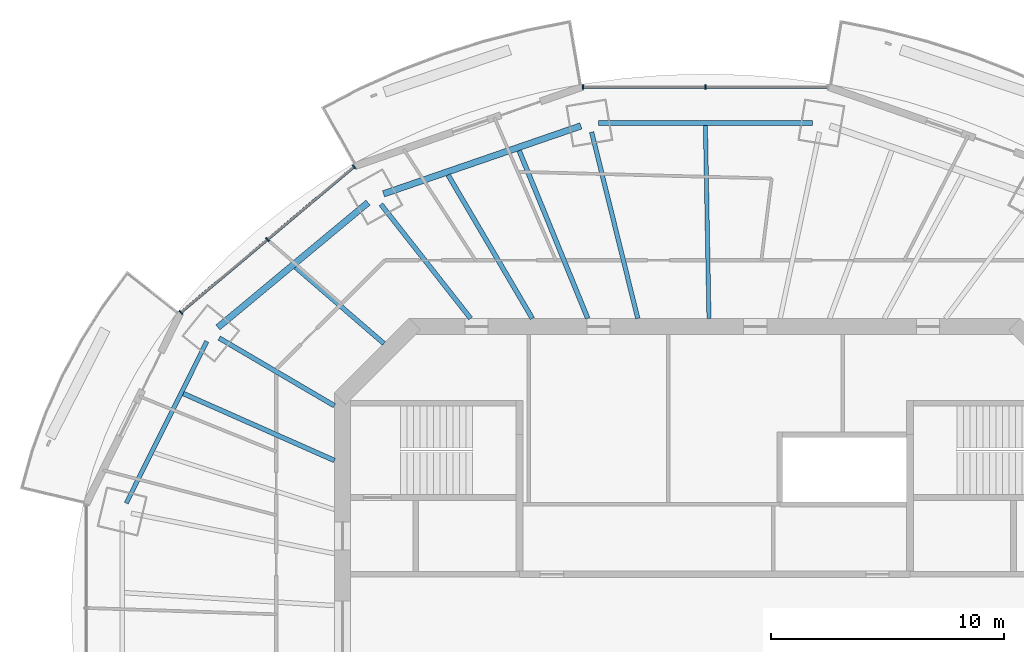
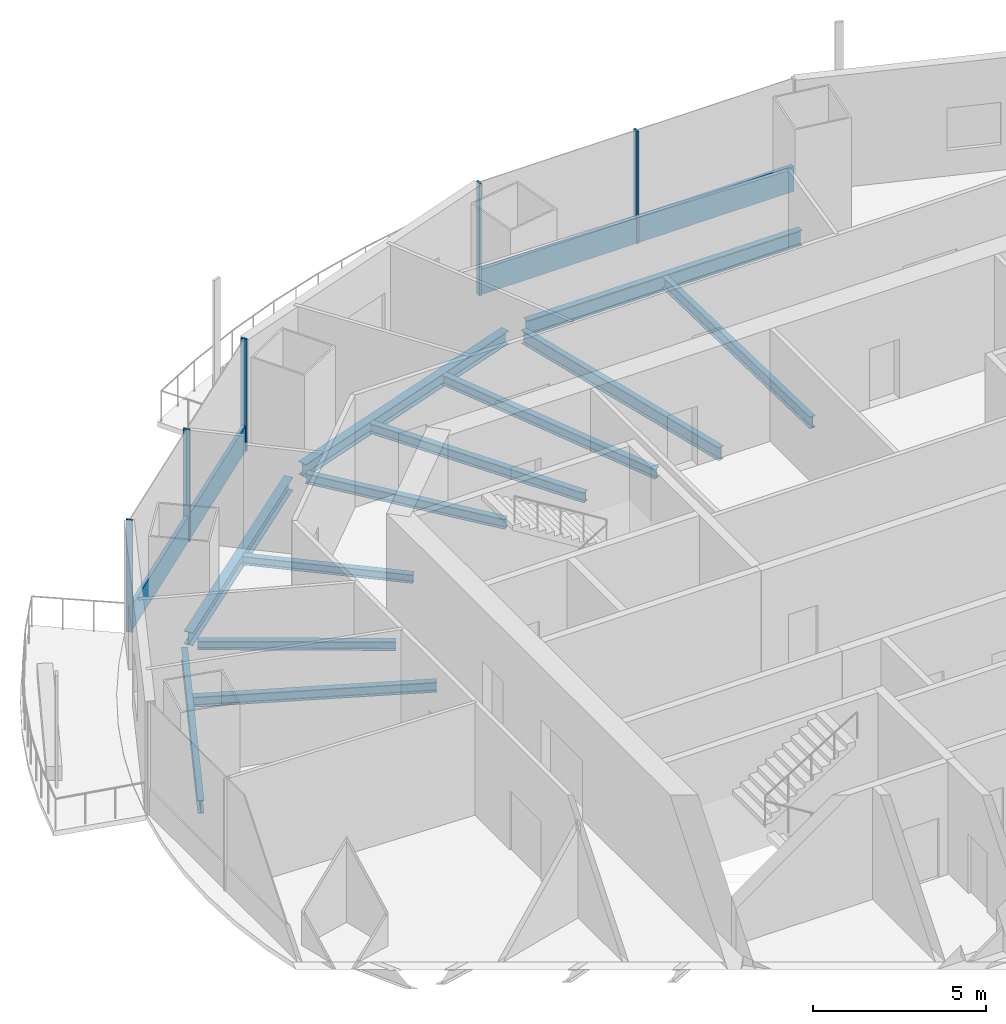
# One storey, part 5 of 16: 12 beams, 7 members, 2 elements without a shape of their own.
"""IFC4 building model written with IfcOpenShell, lengths in metres."""

from ifc_helpers import new_model, si_unit, direction, frame, origin, origin_2d, place, context, subcontext, project, spatial, rectangle, i_section, extrude, material, material_profile, profile_set, type_object, element, aggregate, save


model = new_model("IFC4")

# Units and contexts
model_context = context("Model", 3, precision=1e-05, world=origin(), true_north=direction((0.0, 1.0)))
body_context = subcontext(model_context, "Body", "Model", "MODEL_VIEW")
ifc_project = project(units=[si_unit("LENGTHUNIT", "METRE"), si_unit("AREAUNIT", "SQUARE_METRE"), si_unit("VOLUMEUNIT", "CUBIC_METRE"), si_unit("PLANEANGLEUNIT", "RADIAN"), si_unit("MASSUNIT", "GRAM", prefix="KILO")], contexts=[model_context])

# Site, building, storey
site_placement = place(None, origin())
site = spatial("IfcSite", under=ifc_project, at=site_placement, CompositionType="ELEMENT")
building_placement = place(site_placement, origin())
building = spatial("IfcBuilding", under=site, at=building_placement, Name="Marenthal Gate Tower", CompositionType="ELEMENT")
storey_placement = place(building_placement, frame((0.0, 0.0, 334.300048828125)))
storey = spatial("IfcBuildingStorey", under=building, at=storey_placement, Name="L75", CompositionType="ELEMENT", Elevation=334.300048828125)

# Curtain wall, members
ifc_material_1 = material(Name="Aluminium and glass", Category="aluminium")
curtain_wall_type = type_object("IfcCurtainWallType", Name="Curtain wall typical high", PredefinedType="NOTDEFINED", material=ifc_material_1)
curtain_wall_1_placement = place(storey_placement, origin())
curtain_wall_1 = element("IfcCurtainWall", 1, at=curtain_wall_1_placement, inside=storey, type_object=curtain_wall_type, Name="Curtain wall L75 bay 4", PredefinedType="NOTDEFINED")
ifc_material_2 = material(Name="Aluminium", Category="aluminium")
ifc_material_profile_1 = material_profile(ifc_material_2, rectangle(XDim=0.199951171875, YDim=0.06005859375, at=origin_2d()), Name="60x200 aluminium mullion")
ifc_profile_set_1 = profile_set([ifc_material_profile_1], Name="Aluminium")
member_type_1 = type_object("IfcMemberType", Name="Mullion 60x200 typical high", PredefinedType="MULLION", material=ifc_profile_set_1)
member_1_placement = place(storey_placement, frame((-0.39990234375, 23.302978515625, 0.0), z_axis=(0.0, 0.0, 1.0), x_axis=(0.0, -1.0, 0.0)))
member_1 = element("IfcMember", 2, at=member_1_placement, type_object=member_type_1, Name="Mullion L75 bay 4.2", PredefinedType="MULLION", context=body_context, shape_type="SweptSolid", body=[
    extrude(rectangle(XDim=0.199951171875, YDim=0.06005859375, at=origin_2d()), origin(), (0.0, 0.0, 1.0), 3.969970703125),
])
member_2_placement = place(storey_placement, frame((-5.66650390625, 23.302978515625, 0.0), z_axis=(0.0, 0.0, 1.0), x_axis=(0.0, -1.0, 0.0)))
member_2 = element("IfcMember", 3, at=member_2_placement, type_object=member_type_1, Name="Mullion L75 bay 4.3", PredefinedType="MULLION", context=body_context, shape_type="SweptSolid", body=[
    extrude(rectangle(XDim=0.199951171875, YDim=0.06005859375, at=origin_2d()), origin(), (0.0, 0.0, 1.0), 3.969970703125),
])

curtain_wall_2_placement = place(storey_placement, origin())
curtain_wall_2 = element("IfcCurtainWall", 4, at=curtain_wall_2_placement, inside=storey, type_object=curtain_wall_type, Name="Curtain wall L75 bay 6", PredefinedType="NOTDEFINED")
member_3_placement = place(storey_placement, frame((-15.506103515625, 19.873046875, 0.0), z_axis=(0.0, 0.0, 1.0), x_axis=(0.643800653639, -0.765193255572, 0.0)))
member_3 = element("IfcMember", 5, at=member_3_placement, type_object=member_type_1, Name="Mullion L75 bay 6.1", PredefinedType="MULLION", context=body_context, shape_type="SweptSolid", body=[
    extrude(rectangle(XDim=0.199951171875, YDim=0.06005859375, at=origin_2d()), origin(), (0.0, 0.0, 1.0), 3.969970703125),
])
member_4_placement = place(storey_placement, frame((-19.228271484375, 16.741455078125, 0.0), z_axis=(0.0, 0.0, 1.0), x_axis=(0.643800653639, -0.765193255572, 0.0)))
member_4 = element("IfcMember", 6, at=member_4_placement, type_object=member_type_1, Name="Mullion L75 bay 6.2", PredefinedType="MULLION", context=body_context, shape_type="SweptSolid", body=[
    extrude(rectangle(XDim=0.199951171875, YDim=0.06005859375, at=origin_2d()), origin(), (0.0, 0.0, 1.0), 3.969970703125),
])
member_5_placement = place(storey_placement, frame((-22.95068359375, 13.609619140625, 0.0), z_axis=(0.0, 0.0, 1.0), x_axis=(0.643800653639, -0.765193255572, 0.0)))
member_5 = element("IfcMember", 7, at=member_5_placement, type_object=member_type_1, Name="Mullion L75 bay 6.3", PredefinedType="MULLION", context=body_context, shape_type="SweptSolid", body=[
    extrude(rectangle(XDim=0.199951171875, YDim=0.06005859375, at=origin_2d()), origin(), (0.0, 0.0, 1.0), 3.969970703125),
])

# Member
ifc_material_3 = material(Name="Aluminium", Category="aluminium")
ifc_material_profile_2 = material_profile(ifc_material_3, rectangle(XDim=0.1201171875, YDim=0.89990234375, at=origin_2d()), Name="120x900 aluminium transom")
ifc_profile_set_2 = profile_set([ifc_material_profile_2], Name="Aluminium")
member_type_2 = type_object("IfcMemberType", Name="Transom 120x900 typical high", PredefinedType="USERDEFINED", material=ifc_profile_set_2)
member_6_placement = place(storey_placement, frame((4.83642578125, 23.302978515625, 0.449951171875), z_axis=(-1.0, 0.0, 0.0), x_axis=(0.0, -1.0, 0.0)))
member_6 = element("IfcMember", 8, at=member_6_placement, type_object=member_type_2, Name="Transom L75 bay 4", ObjectType="TRANSOM", PredefinedType="USERDEFINED", context=body_context, shape_type="SweptSolid", body=[
    extrude(rectangle(XDim=0.1201171875, YDim=0.89990234375, at=origin_2d()), origin(), (0.0, 0.0, 1.0), 10.472900390625),
])

aggregate(curtain_wall_1, [member_1, member_2, member_6])

member_7_placement = place(storey_placement, frame((-15.529052734375, 19.853759765625, 0.449951171875), z_axis=(-0.765197260539, -0.643795893482, 0.0), x_axis=(0.643795893482, -0.765197260539, 0.0)))
member_7 = element("IfcMember", 9, at=member_7_placement, type_object=member_type_2, Name="Transom L75 bay 6", ObjectType="TRANSOM", PredefinedType="USERDEFINED", context=body_context, shape_type="SweptSolid", body=[
    extrude(rectangle(XDim=0.1201171875, YDim=0.89990234375, at=origin_2d()), origin(), (0.0, 0.0, 1.0), 9.6689453125),
])

aggregate(curtain_wall_2, [member_3, member_4, member_5, member_7])

# Beams
ifc_material_4 = material(Name="Steel S355", Category="steel")
ifc_material_profile_3 = material_profile(ifc_material_4, i_section(OverallWidth=0.202880859375, OverallDepth=0.302001953125, WebThickness=0.007568359375, FlangeThickness=0.01318359375, FilletRadius=0.0126953125, at=origin_2d()), Name="W310X60")
ifc_profile_set_3 = profile_set([ifc_material_profile_3], Name="Steel S355")
beam_type_1 = type_object("IfcBeamType", Name="W310X60 beam", PredefinedType="BEAM", material=ifc_profile_set_3)
beam_1_placement = place(storey_placement, frame((-18.025390625, 15.55322265625, -0.3310546875), z_axis=(0.757114770314, -0.653281887528, 0.0), x_axis=(0.653281887528, 0.757114770314, 0.0)))
element("IfcBeam", 10, at=beam_1_placement, inside=storey, type_object=beam_type_1, Name="BM-L75-25", PredefinedType="BEAM", context=body_context, shape_type="SweptSolid", body=[
    extrude(i_section(OverallWidth=0.202880859375, OverallDepth=0.302001953125, WebThickness=0.007568359375, FlangeThickness=0.01318359375, FilletRadius=0.0126953125, at=origin_2d()), origin(), (0.0, 0.0, 1.0), 5.0224609375),
])
ifc_material_5 = material(Name="Steel S355", Category="steel")
ifc_material_profile_4 = material_profile(ifc_material_5, i_section(OverallWidth=0.205078125, OverallDepth=0.31005859375, WebThickness=0.009521484375, FlangeThickness=0.016357421875, FilletRadius=0.0126953125, at=origin_2d()), Name="W310X74")
ifc_profile_set_4 = profile_set([ifc_material_profile_4], Name="Steel S355")
beam_type_2 = type_object("IfcBeamType", Name="W310X74 beam", PredefinedType="BEAM", material=ifc_profile_set_4)
beam_2_placement = place(storey_placement, frame((-21.306396484375, 12.505126953125, -0.3349609375), z_axis=(0.862430700738, -0.506175153899, 0.0), x_axis=(0.506175153899, 0.862430700738, 0.0)))
element("IfcBeam", 11, at=beam_2_placement, inside=storey, type_object=beam_type_2, Name="BM-L75-07", PredefinedType="BEAM", context=body_context, shape_type="SweptSolid", body=[
    extrude(i_section(OverallWidth=0.205078125, OverallDepth=0.31005859375, WebThickness=0.009521484375, FlangeThickness=0.016357421875, FilletRadius=0.0126953125, at=origin_2d()), origin(), (0.0, 0.0, 1.0), 5.746826171875),
])
ifc_material_6 = material(Name="Steel S355", Category="steel")
ifc_material_profile_5 = material_profile(ifc_material_6, i_section(OverallWidth=0.205078125, OverallDepth=0.35302734375, WebThickness=0.009521484375, FlangeThickness=0.016845703125, FilletRadius=0.014892578125, at=origin_2d()), Name="W360X79")
ifc_profile_set_5 = profile_set([ifc_material_profile_5], Name="Steel S355")
beam_type_3 = type_object("IfcBeamType", Name="W360X79 beam", PredefinedType="BEAM", material=ifc_profile_set_5)
beam_3_placement = place(storey_placement, frame((-14.35107421875, 18.255126953125, -0.3564453125), z_axis=(0.618044451996, -0.78614315195, 0.0), x_axis=(0.78614315195, 0.618044451996, 0.0)))
element("IfcBeam", 12, at=beam_3_placement, inside=storey, type_object=beam_type_3, Name="BM-L75-06", PredefinedType="BEAM", context=body_context, shape_type="SweptSolid", body=[
    extrude(i_section(OverallWidth=0.205078125, OverallDepth=0.35302734375, WebThickness=0.009521484375, FlangeThickness=0.016845703125, FilletRadius=0.014892578125, at=origin_2d()), origin(), (0.0, 0.0, 1.0), 6.2392578125),
])
beam_4_placement = place(storey_placement, frame((-8.40771484375, 20.56591796875, -0.3564453125), z_axis=(0.378415770865, -0.925635729842, 0.0), x_axis=(0.925635729842, 0.378415770865, 0.0)))
element("IfcBeam", 13, at=beam_4_placement, inside=storey, type_object=beam_type_3, Name="BM-L75-23", PredefinedType="BEAM", context=body_context, shape_type="SweptSolid", body=[
    extrude(i_section(OverallWidth=0.205078125, OverallDepth=0.35302734375, WebThickness=0.009521484375, FlangeThickness=0.016845703125, FilletRadius=0.014892578125, at=origin_2d()), origin(), (0.0, 0.0, 1.0), 7.79541015625),
])
beam_5_placement = place(storey_placement, frame((-11.4609375, 19.514404296875, -0.3564453125), z_axis=(0.506427497375, -0.862282546444, 0.0), x_axis=(0.862282546444, 0.506427497375, 0.0)))
element("IfcBeam", 14, at=beam_5_placement, inside=storey, type_object=beam_type_3, Name="BM-L75-24", PredefinedType="BEAM", context=body_context, shape_type="SweptSolid", body=[
    extrude(i_section(OverallWidth=0.205078125, OverallDepth=0.35302734375, WebThickness=0.009521484375, FlangeThickness=0.016845703125, FilletRadius=0.014892578125, at=origin_2d()), origin(), (0.0, 0.0, 1.0), 7.14892578125),
])
beam_6_placement = place(storey_placement, frame((-22.844970703125, 10.118896484375, -0.3564453125), z_axis=(0.914328119374, -0.404974184513, 0.0), x_axis=(0.404974184513, 0.914328119374, 0.0)))
element("IfcBeam", 15, at=beam_6_placement, inside=storey, type_object=beam_type_3, Name="BM-L75-26", PredefinedType="BEAM", context=body_context, shape_type="SweptSolid", body=[
    extrude(i_section(OverallWidth=0.205078125, OverallDepth=0.35302734375, WebThickness=0.009521484375, FlangeThickness=0.016845703125, FilletRadius=0.014892578125, at=origin_2d()), origin(), (0.0, 0.0, 1.0), 7.103515625),
])
ifc_material_7 = material(Name="Steel S355", Category="steel")
ifc_material_profile_6 = material_profile(ifc_material_7, i_section(OverallWidth=0.180908203125, OverallDepth=0.4169921875, WebThickness=0.010986328125, FlangeThickness=0.018310546875, FilletRadius=0.01025390625, at=origin_2d()), Name="W410X85")
ifc_profile_set_6 = profile_set([ifc_material_profile_6], Name="Steel S355")
beam_type_4 = type_object("IfcBeamType", Name="W410X85 beam", PredefinedType="BEAM", material=ifc_profile_set_6)
beam_7_placement = place(storey_placement, frame((-0.398193359375, 21.6474609375, -0.388427734375), z_axis=(0.018386816413, -0.999830948202, 0.0), x_axis=(0.999830948202, 0.018386816413, 0.0)))
element("IfcBeam", 16, at=beam_7_placement, inside=storey, type_object=beam_type_4, Name="BM-L75-22", PredefinedType="BEAM", context=body_context, shape_type="SweptSolid", body=[
    extrude(i_section(OverallWidth=0.180908203125, OverallDepth=0.4169921875, WebThickness=0.010986328125, FlangeThickness=0.018310546875, FilletRadius=0.01025390625, at=origin_2d()), origin(), (0.0, 0.0, 1.0), 8.298828125),
])
ifc_material_8 = material(Name="Steel S355", Category="steel")
ifc_material_profile_7 = material_profile(ifc_material_8, i_section(OverallWidth=0.279052734375, OverallDepth=0.4619140625, WebThickness=0.0107421875, FlangeThickness=0.017333984375, FilletRadius=0.010009765625, at=origin_2d()), Name="W460X113")
ifc_profile_set_7 = profile_set([ifc_material_profile_7], Name="Steel S355")
beam_type_5 = type_object("IfcBeamType", Name="W460X113 beam", PredefinedType="BEAM", material=ifc_profile_set_7)
beam_8_placement = place(storey_placement, frame((-5.754638671875, 21.627197265625, -0.4111328125), z_axis=(-0.945488011272, -0.325656906176, 0.0), x_axis=(0.325656906176, -0.945488011272, 0.0)))
element("IfcBeam", 17, at=beam_8_placement, inside=storey, type_object=beam_type_5, Name="BM-L75-45", PredefinedType="BEAM", context=body_context, shape_type="SweptSolid", body=[
    extrude(i_section(OverallWidth=0.279052734375, OverallDepth=0.4619140625, WebThickness=0.0107421875, FlangeThickness=0.017333984375, FilletRadius=0.010009765625, at=origin_2d()), origin(), (0.0, 0.0, 1.0), 8.97216796875),
])
beam_9_placement = place(storey_placement, frame((-14.905517578125, 18.3291015625, -0.4111328125), z_axis=(-0.768883818617, -0.639388515277, 0.0), x_axis=(0.639388515277, -0.768883818617, 0.0)))
element("IfcBeam", 18, at=beam_9_placement, inside=storey, type_object=beam_type_5, Name="BM-L75-46", PredefinedType="BEAM", context=body_context, shape_type="SweptSolid", body=[
    extrude(i_section(OverallWidth=0.279052734375, OverallDepth=0.4619140625, WebThickness=0.0107421875, FlangeThickness=0.017333984375, FilletRadius=0.010009765625, at=origin_2d()), origin(), (0.0, 0.0, 1.0), 8.3916015625),
])
ifc_material_9 = material(Name="Steel S355", Category="steel")
ifc_material_profile_8 = material_profile(ifc_material_9, i_section(OverallWidth=0.19091796875, OverallDepth=0.45703125, WebThickness=0.009033203125, FlangeThickness=0.014404296875, FilletRadius=0.01025390625, at=origin_2d()), Name="W460X74")
ifc_profile_set_8 = profile_set([ifc_material_profile_8], Name="Steel S355")
beam_type_6 = type_object("IfcBeamType", Name="W460X74 beam", PredefinedType="BEAM", material=ifc_profile_set_8)
beam_10_placement = place(storey_placement, frame((-21.836181640625, 12.3583984375, -0.408447265625), z_axis=(-0.445880705054, -0.895092395712, 0.0), x_axis=(0.895092395712, -0.445880705054, 0.0)))
element("IfcBeam", 19, at=beam_10_placement, inside=storey, type_object=beam_type_6, Name="BM-L75-47", PredefinedType="BEAM", context=body_context, shape_type="SweptSolid", body=[
    extrude(i_section(OverallWidth=0.19091796875, OverallDepth=0.45703125, WebThickness=0.009033203125, FlangeThickness=0.014404296875, FilletRadius=0.01025390625, at=origin_2d()), origin(), (0.0, 0.0, 1.0), 7.76904296875),
])
ifc_material_10 = material(Name="Steel S355", Category="steel")
ifc_material_profile_9 = material_profile(ifc_material_10, i_section(OverallWidth=0.193115234375, OverallDepth=0.467041015625, WebThickness=0.011474609375, FlangeThickness=0.01904296875, FilletRadius=0.010009765625, at=origin_2d()), Name="W460X97")
ifc_profile_set_9 = profile_set([ifc_material_profile_9], Name="Steel S355")
beam_type_7 = type_object("IfcBeamType", Name="W460X97 beam", PredefinedType="BEAM", material=ifc_profile_set_9)
beam_11_placement = place(storey_placement, frame((-5.29150390625, 21.362548828125, -0.41357421875), z_axis=(0.240426429906, -0.970667364138, 0.0), x_axis=(0.970667364138, 0.240426429906, 0.0)))
element("IfcBeam", 20, at=beam_11_placement, inside=storey, type_object=beam_type_7, Name="BM-L75-05", PredefinedType="BEAM", context=body_context, shape_type="SweptSolid", body=[
    extrude(i_section(OverallWidth=0.193115234375, OverallDepth=0.467041015625, WebThickness=0.011474609375, FlangeThickness=0.01904296875, FilletRadius=0.010009765625, at=origin_2d()), origin(), (0.0, 0.0, 1.0), 8.254638671875),
])
ifc_material_11 = material(Name="Steel S355", Category="steel")
ifc_material_profile_10 = material_profile(ifc_material_11, i_section(OverallWidth=0.2119140625, OverallDepth=0.5439453125, WebThickness=0.01318359375, FlangeThickness=0.021240234375, FilletRadius=0.0126953125, at=origin_2d()), Name="W530X123")
ifc_profile_set_10 = profile_set([ifc_material_profile_10], Name="Steel S355")
beam_type_8 = type_object("IfcBeamType", Name="W530X123 beam", PredefinedType="BEAM", material=ifc_profile_set_10)
beam_12_placement = place(storey_placement, frame((4.201416015625, 21.75341796875, -0.4521484375), z_axis=(-1.0, 0.0, 0.0), x_axis=(0.0, -1.0, 0.0)))
element("IfcBeam", 21, at=beam_12_placement, inside=storey, type_object=beam_type_8, Name="BM-L75-44", PredefinedType="BEAM", context=body_context, shape_type="SweptSolid", body=[
    extrude(i_section(OverallWidth=0.2119140625, OverallDepth=0.5439453125, WebThickness=0.01318359375, FlangeThickness=0.021240234375, FilletRadius=0.0126953125, at=origin_2d()), origin(), (0.0, 0.0, 1.0), 9.202880859375),
])

save(model, "model.ifc")
